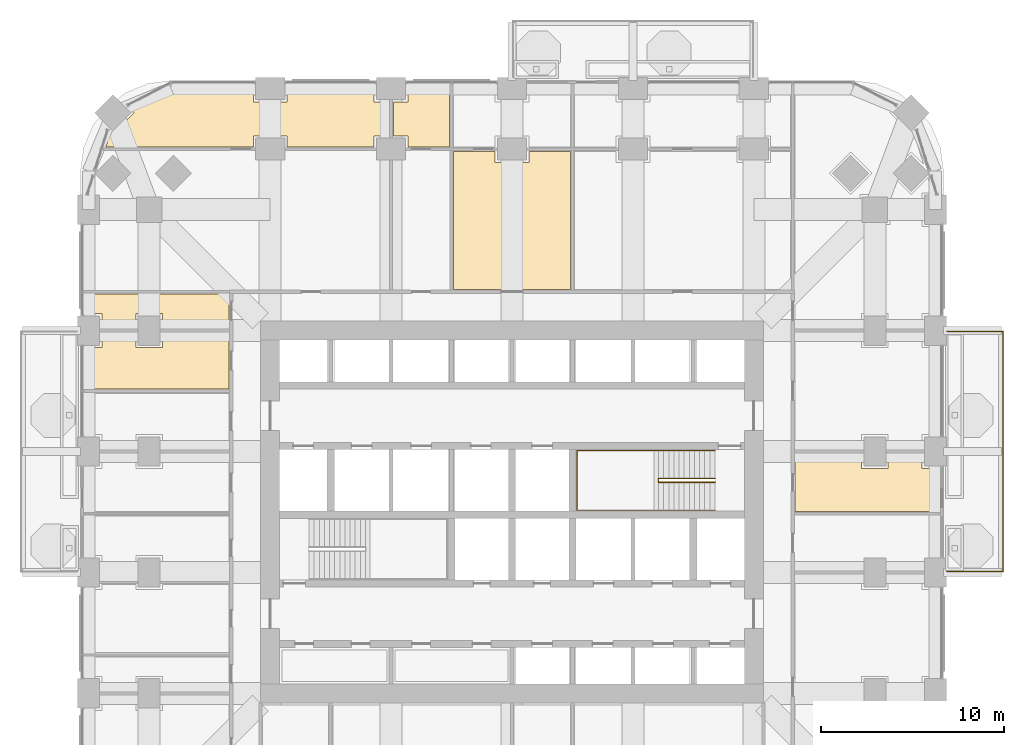
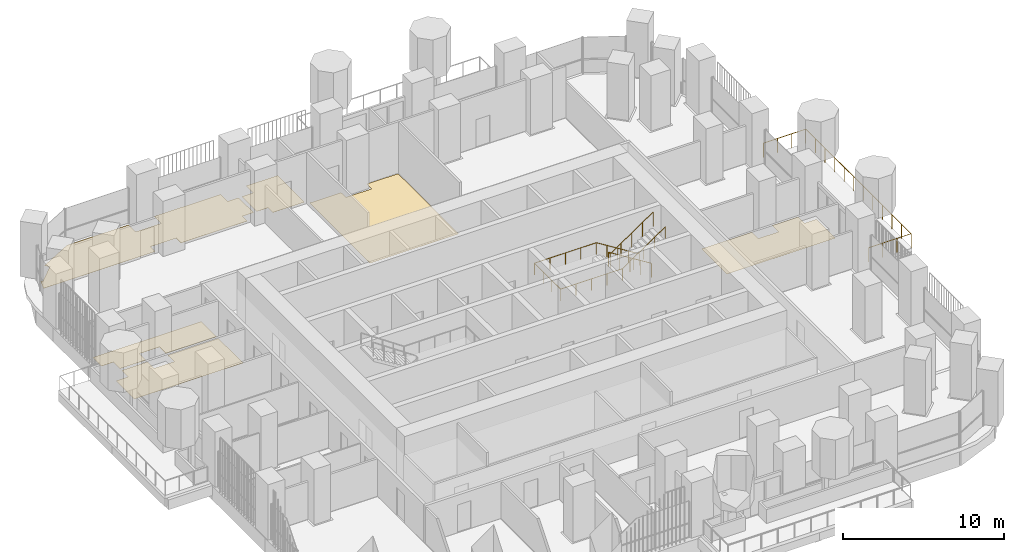
# One storey, part 19 of 21: 6 coverings, 3 railings.
"""IFC4 building model written with IfcOpenShell, lengths in metres."""

from ifc_helpers import new_model, si_unit, direction, frame, origin, place, context, subcontext, project, spatial, polyline, outline, extrude, material, layer, layer_set, type_object, element, save


model = new_model("IFC4")

# Units and contexts
model_context = context("Model", 3, precision=1e-05, world=origin(), true_north=direction((0.0, 1.0)))
body_context = subcontext(model_context, "Body", "Model", "MODEL_VIEW")
ifc_project = project(units=[si_unit("LENGTHUNIT", "METRE"), si_unit("AREAUNIT", "SQUARE_METRE"), si_unit("VOLUMEUNIT", "CUBIC_METRE"), si_unit("PLANEANGLEUNIT", "RADIAN"), si_unit("MASSUNIT", "GRAM", prefix="KILO")], contexts=[model_context])

# Site, building, storey
site_placement = place(None, origin())
site = spatial("IfcSite", under=ifc_project, at=site_placement, CompositionType="ELEMENT")
building_placement = place(site_placement, origin())
building = spatial("IfcBuilding", under=site, at=building_placement, Name="Cobogo Forest Laboratory Tower", CompositionType="ELEMENT")
storey_placement = place(building_placement, frame((0.0, 0.0, 86.39990234375)))
storey = spatial("IfcBuildingStorey", under=building, at=storey_placement, Name="L19", CompositionType="ELEMENT", Elevation=86.39990234375)

# Railing
ifc_material_1 = material(Name="Laminated glass balustrade", Category="glass")
railing_type_1 = type_object("IfcRailingType", Name="BG1 glass balustrade 1100", PredefinedType="GUARDRAIL", material=ifc_material_1)
railing_1_placement = place(storey_placement, frame((50.14990234375, 19.85009765625, 0.0)))
element("IfcRailing", 1, at=railing_1_placement, inside=storey, type_object=railing_type_1, Name="Balcony balustrade BAL-E1 L19", PredefinedType="GUARDRAIL", context=body_context, shape_type="SweptSolid", body=[
    extrude(outline(polyline([(0.022216796875, 0.00927734375), (0.00927734375, 0.022216796875), (-0.00927734375, 0.022216796875), (-0.022216796875, 0.00927734375), (-0.022216796875, -0.00927734375), (-0.00927734375, -0.022216796875), (0.00927734375, -0.022216796875), (0.022216796875, -0.00927734375), (0.022216796875, 0.00927734375)])), frame((0.0, 0.0, 1.077880859375), z_axis=(1.0, 0.0, 0.0), x_axis=(0.0, 1.0, 0.0)), (0.0, 0.0, 1.0), 3.050048828125),
    extrude(outline(polyline([(0.022216796875, 0.00927734375), (0.00927734375, 0.022216796875), (-0.00927734375, 0.022216796875), (-0.022216796875, 0.00927734375), (-0.022216796875, -0.00927734375), (-0.00927734375, -0.022216796875), (0.00927734375, -0.022216796875), (0.022216796875, -0.00927734375), (0.022216796875, 0.00927734375)])), frame((3.050048828125, 0.0, 1.077880859375), z_axis=(0.0, 1.0, 0.0), x_axis=(-1.0, 0.0, 0.0)), (0.0, 0.0, 1.0), 13.099853515625),
    extrude(outline(polyline([(0.022216796875, 0.00927734375), (0.00927734375, 0.022216796875), (-0.00927734375, 0.022216796875), (-0.022216796875, 0.00927734375), (-0.022216796875, -0.00927734375), (-0.00927734375, -0.022216796875), (0.00927734375, -0.022216796875), (0.022216796875, -0.00927734375), (0.022216796875, 0.00927734375)])), frame((3.050048828125, 13.099853515625, 1.077880859375), z_axis=(-1.0, 0.0, 0.0), x_axis=(0.0, -1.0, 0.0)), (0.0, 0.0, 1.0), 3.050048828125),
    extrude(outline(polyline([(0.019287109375, 0.008056640625), (0.008056640625, 0.019287109375), (-0.008056640625, 0.019287109375), (-0.019287109375, 0.008056640625), (-0.019287109375, -0.008056640625), (-0.008056640625, -0.019287109375), (0.008056640625, -0.019287109375), (0.019287109375, -0.008056640625), (0.019287109375, 0.008056640625)])), origin(), (0.0, 0.0, 1.0), 1.077880859375),
    extrude(outline(polyline([(0.019287109375, 0.008056640625), (0.008056640625, 0.019287109375), (-0.008056640625, 0.019287109375), (-0.019287109375, 0.008056640625), (-0.019287109375, -0.008056640625), (-0.008056640625, -0.019287109375), (0.008056640625, -0.019287109375), (0.019287109375, -0.008056640625), (0.019287109375, 0.008056640625)])), frame((1.0166015625, 0.0, 0.0)), (0.0, 0.0, 1.0), 1.077880859375),
    extrude(outline(polyline([(0.019287109375, 0.008056640625), (0.008056640625, 0.019287109375), (-0.008056640625, 0.019287109375), (-0.019287109375, 0.008056640625), (-0.019287109375, -0.008056640625), (-0.008056640625, -0.019287109375), (0.008056640625, -0.019287109375), (0.019287109375, -0.008056640625), (0.019287109375, 0.008056640625)])), frame((2.033447265625, 0.0, 0.0)), (0.0, 0.0, 1.0), 1.077880859375),
    extrude(outline(polyline([(0.019287109375, 0.008056640625), (0.008056640625, 0.019287109375), (-0.008056640625, 0.019287109375), (-0.019287109375, 0.008056640625), (-0.019287109375, -0.008056640625), (-0.008056640625, -0.019287109375), (0.008056640625, -0.019287109375), (0.019287109375, -0.008056640625), (0.019287109375, 0.008056640625)])), frame((3.050048828125, 0.0, 0.0)), (0.0, 0.0, 1.0), 1.077880859375),
    extrude(outline(polyline([(0.019287109375, 0.008056640625), (0.008056640625, 0.019287109375), (-0.008056640625, 0.019287109375), (-0.019287109375, 0.008056640625), (-0.019287109375, -0.008056640625), (-0.008056640625, -0.019287109375), (0.008056640625, -0.019287109375), (0.019287109375, -0.008056640625), (0.019287109375, 0.008056640625)])), frame((3.050048828125, 1.19091796875, 0.0)), (0.0, 0.0, 1.0), 1.077880859375),
    extrude(outline(polyline([(0.019287109375, 0.008056640625), (0.008056640625, 0.019287109375), (-0.008056640625, 0.019287109375), (-0.019287109375, 0.008056640625), (-0.019287109375, -0.008056640625), (-0.008056640625, -0.019287109375), (0.008056640625, -0.019287109375), (0.019287109375, -0.008056640625), (0.019287109375, 0.008056640625)])), frame((3.050048828125, 2.3818359375, 0.0)), (0.0, 0.0, 1.0), 1.077880859375),
    extrude(outline(polyline([(0.019287109375, 0.008056640625), (0.008056640625, 0.019287109375), (-0.008056640625, 0.019287109375), (-0.019287109375, 0.008056640625), (-0.019287109375, -0.008056640625), (-0.008056640625, -0.019287109375), (0.008056640625, -0.019287109375), (0.019287109375, -0.008056640625), (0.019287109375, 0.008056640625)])), frame((3.050048828125, 3.57275390625, 0.0)), (0.0, 0.0, 1.0), 1.077880859375),
    extrude(outline(polyline([(0.019287109375, 0.008056640625), (0.008056640625, 0.019287109375), (-0.008056640625, 0.019287109375), (-0.019287109375, 0.008056640625), (-0.019287109375, -0.008056640625), (-0.008056640625, -0.019287109375), (0.008056640625, -0.019287109375), (0.019287109375, -0.008056640625), (0.019287109375, 0.008056640625)])), frame((3.050048828125, 4.763671875, 0.0)), (0.0, 0.0, 1.0), 1.077880859375),
    extrude(outline(polyline([(0.019287109375, 0.008056640625), (0.008056640625, 0.019287109375), (-0.008056640625, 0.019287109375), (-0.019287109375, 0.008056640625), (-0.019287109375, -0.008056640625), (-0.008056640625, -0.019287109375), (0.008056640625, -0.019287109375), (0.019287109375, -0.008056640625), (0.019287109375, 0.008056640625)])), frame((3.050048828125, 5.95458984375, 0.0)), (0.0, 0.0, 1.0), 1.077880859375),
    extrude(outline(polyline([(0.019287109375, 0.008056640625), (0.008056640625, 0.019287109375), (-0.008056640625, 0.019287109375), (-0.019287109375, 0.008056640625), (-0.019287109375, -0.008056640625), (-0.008056640625, -0.019287109375), (0.008056640625, -0.019287109375), (0.019287109375, -0.008056640625), (0.019287109375, 0.008056640625)])), frame((3.050048828125, 7.145263671875, 0.0)), (0.0, 0.0, 1.0), 1.077880859375),
    extrude(outline(polyline([(0.019287109375, 0.008056640625), (0.008056640625, 0.019287109375), (-0.008056640625, 0.019287109375), (-0.019287109375, 0.008056640625), (-0.019287109375, -0.008056640625), (-0.008056640625, -0.019287109375), (0.008056640625, -0.019287109375), (0.019287109375, -0.008056640625), (0.019287109375, 0.008056640625)])), frame((3.050048828125, 8.336181640625, 0.0)), (0.0, 0.0, 1.0), 1.077880859375),
    extrude(outline(polyline([(0.019287109375, 0.008056640625), (0.008056640625, 0.019287109375), (-0.008056640625, 0.019287109375), (-0.019287109375, 0.008056640625), (-0.019287109375, -0.008056640625), (-0.008056640625, -0.019287109375), (0.008056640625, -0.019287109375), (0.019287109375, -0.008056640625), (0.019287109375, 0.008056640625)])), frame((3.050048828125, 9.527099609375, 0.0)), (0.0, 0.0, 1.0), 1.077880859375),
    extrude(outline(polyline([(0.019287109375, 0.008056640625), (0.008056640625, 0.019287109375), (-0.008056640625, 0.019287109375), (-0.019287109375, 0.008056640625), (-0.019287109375, -0.008056640625), (-0.008056640625, -0.019287109375), (0.008056640625, -0.019287109375), (0.019287109375, -0.008056640625), (0.019287109375, 0.008056640625)])), frame((3.050048828125, 10.718017578125, 0.0)), (0.0, 0.0, 1.0), 1.077880859375),
    extrude(outline(polyline([(0.019287109375, 0.008056640625), (0.008056640625, 0.019287109375), (-0.008056640625, 0.019287109375), (-0.019287109375, 0.008056640625), (-0.019287109375, -0.008056640625), (-0.008056640625, -0.019287109375), (0.008056640625, -0.019287109375), (0.019287109375, -0.008056640625), (0.019287109375, 0.008056640625)])), frame((3.050048828125, 11.908935546875, 0.0)), (0.0, 0.0, 1.0), 1.077880859375),
    extrude(outline(polyline([(0.019287109375, 0.008056640625), (0.008056640625, 0.019287109375), (-0.008056640625, 0.019287109375), (-0.019287109375, 0.008056640625), (-0.019287109375, -0.008056640625), (-0.008056640625, -0.019287109375), (0.008056640625, -0.019287109375), (0.019287109375, -0.008056640625), (0.019287109375, 0.008056640625)])), frame((3.050048828125, 13.099853515625, 0.0)), (0.0, 0.0, 1.0), 1.077880859375),
    extrude(outline(polyline([(0.019287109375, 0.008056640625), (0.008056640625, 0.019287109375), (-0.008056640625, 0.019287109375), (-0.019287109375, 0.008056640625), (-0.019287109375, -0.008056640625), (-0.008056640625, -0.019287109375), (0.008056640625, -0.019287109375), (0.019287109375, -0.008056640625), (0.019287109375, 0.008056640625)])), frame((2.033447265625, 13.099853515625, 0.0)), (0.0, 0.0, 1.0), 1.077880859375),
    extrude(outline(polyline([(0.019287109375, 0.008056640625), (0.008056640625, 0.019287109375), (-0.008056640625, 0.019287109375), (-0.019287109375, 0.008056640625), (-0.019287109375, -0.008056640625), (-0.008056640625, -0.019287109375), (0.008056640625, -0.019287109375), (0.019287109375, -0.008056640625), (0.019287109375, 0.008056640625)])), frame((1.0166015625, 13.099853515625, 0.0)), (0.0, 0.0, 1.0), 1.077880859375),
    extrude(outline(polyline([(0.019287109375, 0.008056640625), (0.008056640625, 0.019287109375), (-0.008056640625, 0.019287109375), (-0.019287109375, 0.008056640625), (-0.019287109375, -0.008056640625), (-0.008056640625, -0.019287109375), (0.008056640625, -0.019287109375), (0.019287109375, -0.008056640625), (0.019287109375, 0.008056640625)])), frame((0.0, 13.099853515625, 0.0)), (0.0, 0.0, 1.0), 1.077880859375),
])

# Coverings
ifc_material_2 = material(Name="Carpet tile on raised access floor", Category="flooring")
ifc_layer_1 = layer(ifc_material_2, 0.008056640625)
ifc_layer_set_1 = layer_set([ifc_layer_1], Name="CT1 carpet tile floor 8")
covering_type_1 = type_object("IfcCoveringType", Name="CT1 carpet tile floor 8", PredefinedType="FLOORING", material=ifc_layer_set_1)
covering_1_placement = place(storey_placement, origin())
element("IfcCovering", 2, at=covering_1_placement, inside=storey, type_object=covering_type_1, Name="Carpet floor L19-16", PredefinedType="FLOORING", context=body_context, shape_type="SweptSolid", body=[
    extrude(outline(polyline([(14.1201171875, 43.02001953125), (14.1201171875, 43.6201171875), (12.280029296875, 43.6201171875), (12.280029296875, 43.02001953125), (4.23974609375, 43.02001953125), (4.4990234375, 43.84130859375), (4.617919921875, 43.722412109375), (5.777587890625, 44.882080078125), (5.527099609375, 45.132568359375), (7.84912109375, 46.35009765625), (12.280029296875, 46.35009765625), (12.280029296875, 45.47998046875), (14.1201171875, 45.47998046875), (14.1201171875, 46.35009765625), (18.8798828125, 46.35009765625), (18.8798828125, 45.47998046875), (19.679931640625, 45.47998046875), (19.679931640625, 43.6201171875), (18.8798828125, 43.6201171875), (18.8798828125, 43.02001953125), (14.1201171875, 43.02001953125)])), origin(), (0.0, 0.0, 1.0), 0.008056640625),
])
covering_2_placement = place(storey_placement, origin())
element("IfcCovering", 3, at=covering_2_placement, inside=storey, type_object=covering_type_1, Name="Carpet floor L19-18", PredefinedType="FLOORING", context=body_context, shape_type="SweptSolid", body=[
    extrude(outline(polyline([(20.719970703125, 43.02001953125), (20.719970703125, 43.6201171875), (19.919921875, 43.6201171875), (19.919921875, 45.47998046875), (20.719970703125, 45.47998046875), (20.719970703125, 46.35009765625), (22.97998046875, 46.35009765625), (22.97998046875, 43.02001953125), (20.719970703125, 43.02001953125)])), origin(), (0.0, 0.0, 1.0), 0.008056640625),
])
covering_3_placement = place(storey_placement, origin())
element("IfcCovering", 4, at=covering_3_placement, inside=storey, type_object=covering_type_1, Name="Carpet floor L19-29", PredefinedType="FLOORING", context=body_context, shape_type="SweptSolid", body=[
    extrude(outline(polyline([(10.955078125, 29.820068359375), (3.14990234375, 29.820068359375), (3.14990234375, 32.080078125), (4.02001953125, 32.080078125), (4.02001953125, 32.8798828125), (5.8798828125, 32.8798828125), (5.8798828125, 32.080078125), (7.320068359375, 32.080078125), (7.320068359375, 32.8798828125), (10.955078125, 32.8798828125), (10.955078125, 29.820068359375)])), origin(), (0.0, 0.0, 1.0), 0.008056640625),
])
covering_4_placement = place(storey_placement, origin())
element("IfcCovering", 5, at=covering_4_placement, inside=storey, type_object=covering_type_1, Name="Carpet floor L19-30", PredefinedType="FLOORING", context=body_context, shape_type="SweptSolid", body=[
    extrude(outline(polyline([(10.955078125, 33.1201171875), (7.320068359375, 33.1201171875), (7.320068359375, 33.919921875), (5.8798828125, 33.919921875), (5.8798828125, 33.1201171875), (4.02001953125, 33.1201171875), (4.02001953125, 33.919921875), (3.14990234375, 33.919921875), (3.14990234375, 35.0048828125), (10.955078125, 35.0048828125), (10.955078125, 33.1201171875)])), origin(), (0.0, 0.0, 1.0), 0.008056640625),
])

# Railings
ifc_material_3 = material(Name="Steel balustrade", Category="steel")
railing_type_2 = type_object("IfcRailingType", Name="GR stair guard 1100", PredefinedType="GUARDRAIL", material=ifc_material_3)
railing_2_placement = place(storey_placement, frame((37.47509765625, 24.929931640625, 0.175048828125)))
element("IfcRailing", 6, at=railing_2_placement, inside=storey, type_object=railing_type_2, Name="Stair guard ST2 L19", PredefinedType="GUARDRAIL", context=body_context, shape_type="SweptSolid", body=[
    extrude(outline(polyline([(0.022216796875, 0.00927734375), (0.00927734375, 0.022216796875), (-0.00927734375, 0.022216796875), (-0.022216796875, 0.00927734375), (-0.022216796875, -0.00927734375), (-0.00927734375, -0.022216796875), (0.00927734375, -0.022216796875), (0.022216796875, -0.00927734375), (0.022216796875, 0.00927734375)])), frame((0.0, 0.0, 1.077880859375), z_axis=(-0.847998304005, 0.0, 0.529998940003), x_axis=(0.0, -1.0, 0.0)), (0.0, 0.0, 1.0), 3.632080078125),
    extrude(outline(polyline([(0.022216796875, 0.00927734375), (0.00927734375, 0.022216796875), (-0.00927734375, 0.022216796875), (-0.022216796875, 0.00927734375), (-0.022216796875, -0.00927734375), (-0.00927734375, -0.022216796875), (0.00927734375, -0.022216796875), (0.022216796875, -0.00927734375), (0.022216796875, 0.00927734375)])), frame((-3.080078125, 0.0, 3.0029296875), z_axis=(0.0, -1.0, 0.0), x_axis=(1.0, 0.0, 0.0)), (0.0, 0.0, 1.0), 0.2099609375),
    extrude(outline(polyline([(0.022216796875, 0.00927734375), (0.00927734375, 0.022216796875), (-0.00927734375, 0.022216796875), (-0.022216796875, 0.00927734375), (-0.022216796875, -0.00927734375), (-0.00927734375, -0.022216796875), (0.00927734375, -0.022216796875), (0.022216796875, -0.00927734375), (0.022216796875, 0.00927734375)])), frame((-3.080078125, -0.2099609375, 3.0029296875), z_axis=(0.826221800596, 0.0, 0.563344953133), x_axis=(0.0, 1.0, 0.0)), (0.0, 0.0, 1.0), 3.72802734375),
    extrude(outline(polyline([(0.019287109375, 0.008056640625), (0.008056640625, 0.019287109375), (-0.008056640625, 0.019287109375), (-0.019287109375, 0.008056640625), (-0.019287109375, -0.008056640625), (-0.008056640625, -0.019287109375), (0.008056640625, -0.019287109375), (0.019287109375, -0.008056640625), (0.019287109375, 0.008056640625)])), origin(), (0.0, 0.0, 1.0), 1.077880859375),
    extrude(outline(polyline([(0.019287109375, 0.008056640625), (0.008056640625, 0.019287109375), (-0.008056640625, 0.019287109375), (-0.019287109375, 0.008056640625), (-0.019287109375, -0.008056640625), (-0.008056640625, -0.019287109375), (0.008056640625, -0.019287109375), (0.019287109375, -0.008056640625), (0.019287109375, 0.008056640625)])), frame((-0.77001953125, 0.0, 0.481201171875)), (0.0, 0.0, 1.0), 1.077880859375),
    extrude(outline(polyline([(0.019287109375, 0.008056640625), (0.008056640625, 0.019287109375), (-0.008056640625, 0.019287109375), (-0.019287109375, 0.008056640625), (-0.019287109375, -0.008056640625), (-0.008056640625, -0.019287109375), (0.008056640625, -0.019287109375), (0.019287109375, -0.008056640625), (0.019287109375, 0.008056640625)])), frame((-1.5400390625, 0.0, 0.96240234375)), (0.0, 0.0, 1.0), 1.077880859375),
    extrude(outline(polyline([(0.019287109375, 0.008056640625), (0.008056640625, 0.019287109375), (-0.008056640625, 0.019287109375), (-0.019287109375, 0.008056640625), (-0.019287109375, -0.008056640625), (-0.008056640625, -0.019287109375), (0.008056640625, -0.019287109375), (0.019287109375, -0.008056640625), (0.019287109375, 0.008056640625)])), frame((-2.31005859375, 0.0, 1.44384765625)), (0.0, 0.0, 1.0), 1.077880859375),
    extrude(outline(polyline([(0.019287109375, 0.008056640625), (0.008056640625, 0.019287109375), (-0.008056640625, 0.019287109375), (-0.019287109375, 0.008056640625), (-0.019287109375, -0.008056640625), (-0.008056640625, -0.019287109375), (0.008056640625, -0.019287109375), (0.019287109375, -0.008056640625), (0.019287109375, 0.008056640625)])), frame((-3.080078125, 0.0, 1.925048828125)), (0.0, 0.0, 1.0), 1.077880859375),
    extrude(outline(polyline([(0.019287109375, 0.008056640625), (0.008056640625, 0.019287109375), (-0.008056640625, 0.019287109375), (-0.019287109375, 0.008056640625), (-0.019287109375, -0.008056640625), (-0.008056640625, -0.019287109375), (0.008056640625, -0.019287109375), (0.019287109375, -0.008056640625), (0.019287109375, 0.008056640625)])), frame((-3.080078125, -0.2099609375, 1.925048828125)), (0.0, 0.0, 1.0), 1.077880859375),
    extrude(outline(polyline([(0.019287109375, 0.008056640625), (0.008056640625, 0.019287109375), (-0.008056640625, 0.019287109375), (-0.019287109375, 0.008056640625), (-0.019287109375, -0.008056640625), (-0.008056640625, -0.019287109375), (0.008056640625, -0.019287109375), (0.019287109375, -0.008056640625), (0.019287109375, 0.008056640625)])), frame((-2.31005859375, -0.2099609375, 2.4501953125)), (0.0, 0.0, 1.0), 1.077880859375),
    extrude(outline(polyline([(0.019287109375, 0.008056640625), (0.008056640625, 0.019287109375), (-0.008056640625, 0.019287109375), (-0.019287109375, 0.008056640625), (-0.019287109375, -0.008056640625), (-0.008056640625, -0.019287109375), (0.008056640625, -0.019287109375), (0.019287109375, -0.008056640625), (0.019287109375, 0.008056640625)])), frame((-1.5400390625, -0.2099609375, 2.97509765625)), (0.0, 0.0, 1.0), 1.077880859375),
    extrude(outline(polyline([(0.019287109375, 0.008056640625), (0.008056640625, 0.019287109375), (-0.008056640625, 0.019287109375), (-0.019287109375, 0.008056640625), (-0.019287109375, -0.008056640625), (-0.008056640625, -0.019287109375), (0.008056640625, -0.019287109375), (0.019287109375, -0.008056640625), (0.019287109375, 0.008056640625)])), frame((-0.77001953125, -0.2099609375, 3.5)), (0.0, 0.0, 1.0), 1.077880859375),
    extrude(outline(polyline([(0.019287109375, 0.008056640625), (0.008056640625, 0.019287109375), (-0.008056640625, 0.019287109375), (-0.019287109375, 0.008056640625), (-0.019287109375, -0.008056640625), (-0.008056640625, -0.019287109375), (0.008056640625, -0.019287109375), (0.019287109375, -0.008056640625), (0.019287109375, 0.008056640625)])), frame((0.0, -0.2099609375, 4.025146484375)), (0.0, 0.0, 1.0), 1.077880859375),
])
ifc_material_4 = material(Name="Stainless steel handrail", Category="steel")
railing_type_3 = type_object("IfcRailingType", Name="HR handrail 900", PredefinedType="HANDRAIL", material=ifc_material_4)
railing_3_placement = place(storey_placement, frame((37.47509765625, 26.449951171875, 0.175048828125)))
element("IfcRailing", 7, at=railing_3_placement, inside=storey, type_object=railing_type_3, Name="Stair handrail ST2 L19", PredefinedType="HANDRAIL", context=body_context, shape_type="SweptSolid", body=[
    extrude(outline(polyline([(0.022216796875, 0.00927734375), (0.00927734375, 0.022216796875), (-0.00927734375, 0.022216796875), (-0.022216796875, 0.00927734375), (-0.022216796875, -0.00927734375), (-0.00927734375, -0.022216796875), (0.00927734375, -0.022216796875), (0.022216796875, -0.00927734375), (0.022216796875, 0.00927734375)])), frame((0.0, 0.0, 0.877685546875), z_axis=(-0.847998304005, 0.0, 0.529998940003), x_axis=(0.0, -1.0, 0.0)), (0.0, 0.0, 1.0), 3.632080078125),
    extrude(outline(polyline([(0.022216796875, 0.00927734375), (0.00927734375, 0.022216796875), (-0.00927734375, 0.022216796875), (-0.022216796875, 0.00927734375), (-0.022216796875, -0.00927734375), (-0.00927734375, -0.022216796875), (0.00927734375, -0.022216796875), (0.022216796875, -0.00927734375), (0.022216796875, 0.00927734375)])), frame((-3.080078125, 0.0, 2.802734375), z_axis=(-1.0, 0.0, 0.0), x_axis=(0.0, -1.0, 0.0)), (0.0, 0.0, 1.0), 4.445068359375),
    extrude(outline(polyline([(0.022216796875, 0.00927734375), (0.00927734375, 0.022216796875), (-0.00927734375, 0.022216796875), (-0.022216796875, 0.00927734375), (-0.022216796875, -0.00927734375), (-0.00927734375, -0.022216796875), (0.00927734375, -0.022216796875), (0.022216796875, -0.00927734375), (0.022216796875, 0.00927734375)])), frame((-7.525146484375, 0.0, 2.802734375), z_axis=(0.0, -1.0, 0.0), x_axis=(1.0, 0.0, 0.0)), (0.0, 0.0, 1.0), 3.25),
    extrude(outline(polyline([(0.022216796875, 0.00927734375), (0.00927734375, 0.022216796875), (-0.00927734375, 0.022216796875), (-0.022216796875, 0.00927734375), (-0.022216796875, -0.00927734375), (-0.00927734375, -0.022216796875), (0.00927734375, -0.022216796875), (0.022216796875, -0.00927734375), (0.022216796875, 0.00927734375)])), frame((-7.525146484375, -3.25, 2.802734375), z_axis=(1.0, 0.0, 0.0), x_axis=(0.0, 1.0, 0.0)), (0.0, 0.0, 1.0), 4.445068359375),
    extrude(outline(polyline([(0.022216796875, 0.00927734375), (0.00927734375, 0.022216796875), (-0.00927734375, 0.022216796875), (-0.022216796875, 0.00927734375), (-0.022216796875, -0.00927734375), (-0.00927734375, -0.022216796875), (0.00927734375, -0.022216796875), (0.022216796875, -0.00927734375), (0.022216796875, 0.00927734375)])), frame((-3.080078125, -3.25, 2.802734375), z_axis=(0.826221800596, 0.0, 0.563344953133), x_axis=(0.0, 1.0, 0.0)), (0.0, 0.0, 1.0), 3.72802734375),
    extrude(outline(polyline([(0.019287109375, 0.008056640625), (0.008056640625, 0.019287109375), (-0.008056640625, 0.019287109375), (-0.019287109375, 0.008056640625), (-0.019287109375, -0.008056640625), (-0.008056640625, -0.019287109375), (0.008056640625, -0.019287109375), (0.019287109375, -0.008056640625), (0.019287109375, 0.008056640625)])), origin(), (0.0, 0.0, 1.0), 0.877685546875),
    extrude(outline(polyline([(0.019287109375, 0.008056640625), (0.008056640625, 0.019287109375), (-0.008056640625, 0.019287109375), (-0.019287109375, 0.008056640625), (-0.019287109375, -0.008056640625), (-0.008056640625, -0.019287109375), (0.008056640625, -0.019287109375), (0.019287109375, -0.008056640625), (0.019287109375, 0.008056640625)])), frame((-0.77001953125, 0.0, 0.481201171875)), (0.0, 0.0, 1.0), 0.877685546875),
    extrude(outline(polyline([(0.019287109375, 0.008056640625), (0.008056640625, 0.019287109375), (-0.008056640625, 0.019287109375), (-0.019287109375, 0.008056640625), (-0.019287109375, -0.008056640625), (-0.008056640625, -0.019287109375), (0.008056640625, -0.019287109375), (0.019287109375, -0.008056640625), (0.019287109375, 0.008056640625)])), frame((-1.5400390625, 0.0, 0.96240234375)), (0.0, 0.0, 1.0), 0.877685546875),
    extrude(outline(polyline([(0.019287109375, 0.008056640625), (0.008056640625, 0.019287109375), (-0.008056640625, 0.019287109375), (-0.019287109375, 0.008056640625), (-0.019287109375, -0.008056640625), (-0.008056640625, -0.019287109375), (0.008056640625, -0.019287109375), (0.019287109375, -0.008056640625), (0.019287109375, 0.008056640625)])), frame((-2.31005859375, 0.0, 1.44384765625)), (0.0, 0.0, 1.0), 0.877685546875),
    extrude(outline(polyline([(0.019287109375, 0.008056640625), (0.008056640625, 0.019287109375), (-0.008056640625, 0.019287109375), (-0.019287109375, 0.008056640625), (-0.019287109375, -0.008056640625), (-0.008056640625, -0.019287109375), (0.008056640625, -0.019287109375), (0.019287109375, -0.008056640625), (0.019287109375, 0.008056640625)])), frame((-3.080078125, 0.0, 1.925048828125)), (0.0, 0.0, 1.0), 0.877685546875),
    extrude(outline(polyline([(0.019287109375, 0.008056640625), (0.008056640625, 0.019287109375), (-0.008056640625, 0.019287109375), (-0.019287109375, 0.008056640625), (-0.019287109375, -0.008056640625), (-0.008056640625, -0.019287109375), (0.008056640625, -0.019287109375), (0.019287109375, -0.008056640625), (0.019287109375, 0.008056640625)])), frame((-4.19140625, 0.0, 1.925048828125)), (0.0, 0.0, 1.0), 0.877685546875),
    extrude(outline(polyline([(0.019287109375, 0.008056640625), (0.008056640625, 0.019287109375), (-0.008056640625, 0.019287109375), (-0.019287109375, 0.008056640625), (-0.019287109375, -0.008056640625), (-0.008056640625, -0.019287109375), (0.008056640625, -0.019287109375), (0.019287109375, -0.008056640625), (0.019287109375, 0.008056640625)])), frame((-5.302734375, 0.0, 1.925048828125)), (0.0, 0.0, 1.0), 0.877685546875),
    extrude(outline(polyline([(0.019287109375, 0.008056640625), (0.008056640625, 0.019287109375), (-0.008056640625, 0.019287109375), (-0.019287109375, 0.008056640625), (-0.019287109375, -0.008056640625), (-0.008056640625, -0.019287109375), (0.008056640625, -0.019287109375), (0.019287109375, -0.008056640625), (0.019287109375, 0.008056640625)])), frame((-6.413818359375, 0.0, 1.925048828125)), (0.0, 0.0, 1.0), 0.877685546875),
    extrude(outline(polyline([(0.019287109375, 0.008056640625), (0.008056640625, 0.019287109375), (-0.008056640625, 0.019287109375), (-0.019287109375, 0.008056640625), (-0.019287109375, -0.008056640625), (-0.008056640625, -0.019287109375), (0.008056640625, -0.019287109375), (0.019287109375, -0.008056640625), (0.019287109375, 0.008056640625)])), frame((-7.525146484375, 0.0, 1.925048828125)), (0.0, 0.0, 1.0), 0.877685546875),
    extrude(outline(polyline([(0.019287109375, 0.008056640625), (0.008056640625, 0.019287109375), (-0.008056640625, 0.019287109375), (-0.019287109375, 0.008056640625), (-0.019287109375, -0.008056640625), (-0.008056640625, -0.019287109375), (0.008056640625, -0.019287109375), (0.019287109375, -0.008056640625), (0.019287109375, 0.008056640625)])), frame((-7.525146484375, -1.083251953125, 1.925048828125)), (0.0, 0.0, 1.0), 0.877685546875),
    extrude(outline(polyline([(0.019287109375, 0.008056640625), (0.008056640625, 0.019287109375), (-0.008056640625, 0.019287109375), (-0.019287109375, 0.008056640625), (-0.019287109375, -0.008056640625), (-0.008056640625, -0.019287109375), (0.008056640625, -0.019287109375), (0.019287109375, -0.008056640625), (0.019287109375, 0.008056640625)])), frame((-7.525146484375, -2.166748046875, 1.925048828125)), (0.0, 0.0, 1.0), 0.877685546875),
    extrude(outline(polyline([(0.019287109375, 0.008056640625), (0.008056640625, 0.019287109375), (-0.008056640625, 0.019287109375), (-0.019287109375, 0.008056640625), (-0.019287109375, -0.008056640625), (-0.008056640625, -0.019287109375), (0.008056640625, -0.019287109375), (0.019287109375, -0.008056640625), (0.019287109375, 0.008056640625)])), frame((-7.525146484375, -3.25, 1.925048828125)), (0.0, 0.0, 1.0), 0.877685546875),
    extrude(outline(polyline([(0.019287109375, 0.008056640625), (0.008056640625, 0.019287109375), (-0.008056640625, 0.019287109375), (-0.019287109375, 0.008056640625), (-0.019287109375, -0.008056640625), (-0.008056640625, -0.019287109375), (0.008056640625, -0.019287109375), (0.019287109375, -0.008056640625), (0.019287109375, 0.008056640625)])), frame((-6.413818359375, -3.25, 1.925048828125)), (0.0, 0.0, 1.0), 0.877685546875),
    extrude(outline(polyline([(0.019287109375, 0.008056640625), (0.008056640625, 0.019287109375), (-0.008056640625, 0.019287109375), (-0.019287109375, 0.008056640625), (-0.019287109375, -0.008056640625), (-0.008056640625, -0.019287109375), (0.008056640625, -0.019287109375), (0.019287109375, -0.008056640625), (0.019287109375, 0.008056640625)])), frame((-5.302734375, -3.25, 1.925048828125)), (0.0, 0.0, 1.0), 0.877685546875),
    extrude(outline(polyline([(0.019287109375, 0.008056640625), (0.008056640625, 0.019287109375), (-0.008056640625, 0.019287109375), (-0.019287109375, 0.008056640625), (-0.019287109375, -0.008056640625), (-0.008056640625, -0.019287109375), (0.008056640625, -0.019287109375), (0.019287109375, -0.008056640625), (0.019287109375, 0.008056640625)])), frame((-4.19140625, -3.25, 1.925048828125)), (0.0, 0.0, 1.0), 0.877685546875),
    extrude(outline(polyline([(0.019287109375, 0.008056640625), (0.008056640625, 0.019287109375), (-0.008056640625, 0.019287109375), (-0.019287109375, 0.008056640625), (-0.019287109375, -0.008056640625), (-0.008056640625, -0.019287109375), (0.008056640625, -0.019287109375), (0.019287109375, -0.008056640625), (0.019287109375, 0.008056640625)])), frame((-3.080078125, -3.25, 1.925048828125)), (0.0, 0.0, 1.0), 0.877685546875),
    extrude(outline(polyline([(0.019287109375, 0.008056640625), (0.008056640625, 0.019287109375), (-0.008056640625, 0.019287109375), (-0.019287109375, 0.008056640625), (-0.019287109375, -0.008056640625), (-0.008056640625, -0.019287109375), (0.008056640625, -0.019287109375), (0.019287109375, -0.008056640625), (0.019287109375, 0.008056640625)])), frame((-2.31005859375, -3.25, 2.4501953125)), (0.0, 0.0, 1.0), 0.877685546875),
    extrude(outline(polyline([(0.019287109375, 0.008056640625), (0.008056640625, 0.019287109375), (-0.008056640625, 0.019287109375), (-0.019287109375, 0.008056640625), (-0.019287109375, -0.008056640625), (-0.008056640625, -0.019287109375), (0.008056640625, -0.019287109375), (0.019287109375, -0.008056640625), (0.019287109375, 0.008056640625)])), frame((-1.5400390625, -3.25, 2.97509765625)), (0.0, 0.0, 1.0), 0.877685546875),
    extrude(outline(polyline([(0.019287109375, 0.008056640625), (0.008056640625, 0.019287109375), (-0.008056640625, 0.019287109375), (-0.019287109375, 0.008056640625), (-0.019287109375, -0.008056640625), (-0.008056640625, -0.019287109375), (0.008056640625, -0.019287109375), (0.019287109375, -0.008056640625), (0.019287109375, 0.008056640625)])), frame((-0.77001953125, -3.25, 3.5)), (0.0, 0.0, 1.0), 0.877685546875),
    extrude(outline(polyline([(0.019287109375, 0.008056640625), (0.008056640625, 0.019287109375), (-0.008056640625, 0.019287109375), (-0.019287109375, 0.008056640625), (-0.019287109375, -0.008056640625), (-0.008056640625, -0.019287109375), (0.008056640625, -0.019287109375), (0.019287109375, -0.008056640625), (0.019287109375, 0.008056640625)])), frame((0.0, -3.25, 4.025146484375)), (0.0, 0.0, 1.0), 0.877685546875),
])

# Coverings
ifc_material_5 = material(Name="Epoxy resin flooring", Category="flooring")
ifc_layer_2 = layer(ifc_material_5, 0.00390625)
ifc_layer_set_2 = layer_set([ifc_layer_2], Name="LF1 epoxy laboratory floor 4")
covering_type_2 = type_object("IfcCoveringType", Name="LF1 epoxy laboratory floor 4", PredefinedType="FLOORING", material=ifc_layer_set_2)
covering_5_placement = place(storey_placement, origin())
element("IfcCovering", 8, at=covering_5_placement, inside=storey, type_object=covering_type_2, Name="Epoxy laboratory floor L19-19", PredefinedType="FLOORING", context=body_context, shape_type="SweptSolid", body=[
    extrude(outline(polyline([(23.219970703125, 42.780029296875), (25.47998046875, 42.780029296875), (25.47998046875, 42.179931640625), (27.320068359375, 42.179931640625), (27.320068359375, 42.780029296875), (29.580078125, 42.780029296875), (29.580078125, 35.2451171875), (23.219970703125, 35.2451171875), (23.219970703125, 42.780029296875)])), origin(), (0.0, 0.0, 1.0), 0.004150390625),
])
ifc_material_6 = material(Name="Static-dissipative vinyl flooring", Category="flooring")
ifc_layer_3 = layer(ifc_material_6, 0.0029296875)
ifc_layer_set_3 = layer_set([ifc_layer_3], Name="SD1 static-dissipative vinyl floor 3")
covering_type_3 = type_object("IfcCoveringType", Name="SD1 static-dissipative vinyl floor 3", PredefinedType="FLOORING", material=ifc_layer_set_3)
covering_6_placement = place(storey_placement, origin())
element("IfcCovering", 9, at=covering_6_placement, inside=storey, type_object=covering_type_3, Name="Static-dissipative floor L19-12", PredefinedType="FLOORING", context=body_context, shape_type="SweptSolid", body=[
    extrude(outline(polyline([(41.844970703125, 26.280029296875), (45.47998046875, 26.280029296875), (45.47998046875, 25.47998046875), (46.919921875, 25.47998046875), (46.919921875, 26.280029296875), (48.780029296875, 26.280029296875), (48.780029296875, 25.47998046875), (49.64990234375, 25.47998046875), (49.64990234375, 23.1201171875), (41.844970703125, 23.1201171875), (41.844970703125, 26.280029296875)])), origin(), (0.0, 0.0, 1.0), 0.003173828125),
])

save(model, "model.ifc")
